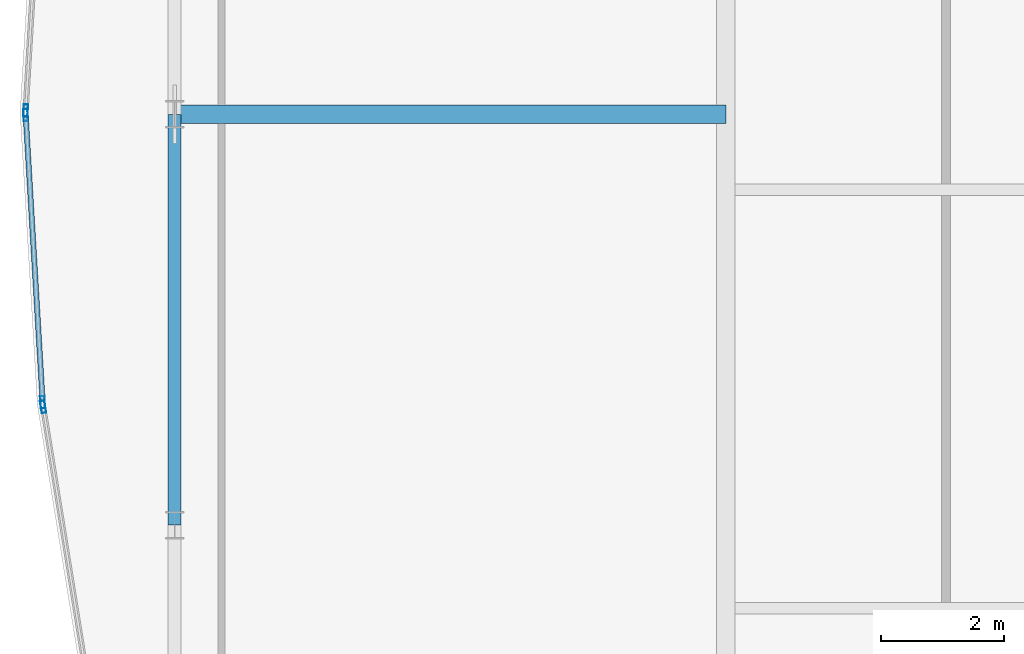
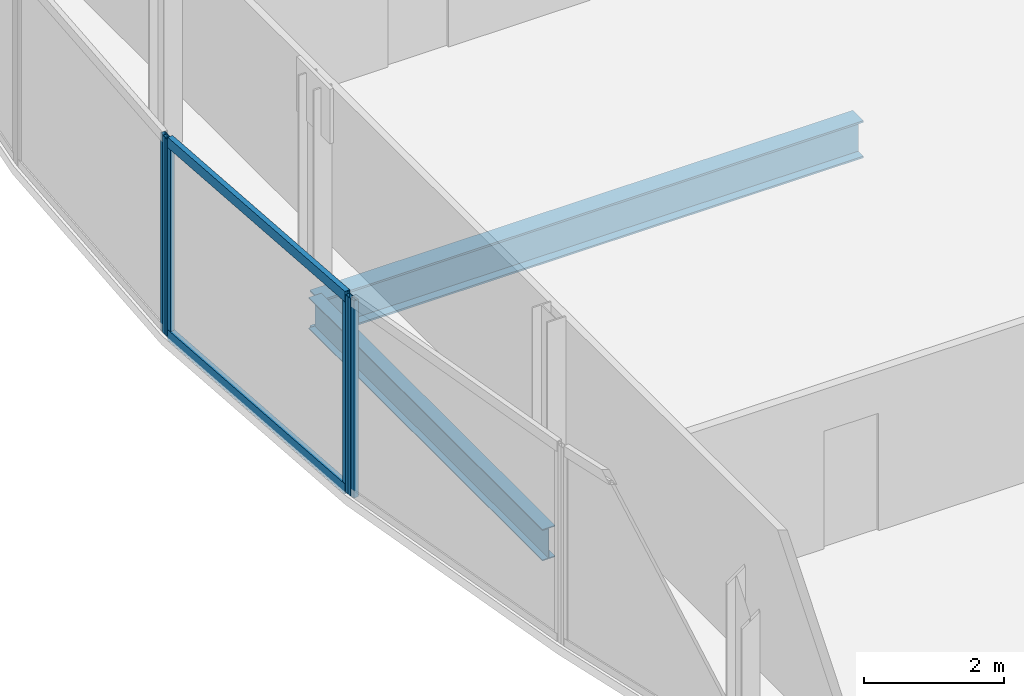
# One storey, part 10 of 30: 6 members, 2 beams, 3 elements without a shape of their own.
"""IFC4 building model written with IfcOpenShell, lengths in metres."""

from ifc_helpers import new_model, si_unit, direction, frame, origin, origin_2d, place, context, subcontext, project, spatial, hollow_rectangle, i_section, extrude, material, material_profile, profile_set, type_object, element, aggregate, save


model = new_model("IFC4")

# Units and contexts
model_context = context("Model", 3, precision=1e-05, world=origin(), true_north=direction((0.0, 1.0)))
body_context = subcontext(model_context, "Body", "Model", "MODEL_VIEW")
ifc_project = project(units=[si_unit("LENGTHUNIT", "METRE"), si_unit("AREAUNIT", "SQUARE_METRE"), si_unit("VOLUMEUNIT", "CUBIC_METRE"), si_unit("PLANEANGLEUNIT", "RADIAN"), si_unit("MASSUNIT", "GRAM", prefix="KILO")], contexts=[model_context])

# Site, building, storey
site_placement = place(None, origin())
site = spatial("IfcSite", under=ifc_project, at=site_placement, CompositionType="ELEMENT")
building_placement = place(site_placement, origin())
building = spatial("IfcBuilding", under=site, at=building_placement, Name="Khoronbel Lancet Exchange", CompositionType="ELEMENT")
storey_placement = place(building_placement, frame((0.0, 0.0, 269.800048828125)))
storey = spatial("IfcBuildingStorey", under=building, at=storey_placement, Name="L69", CompositionType="ELEMENT", Elevation=269.800048828125)

# Beams
ifc_material_1 = material(Name="Steel S355", Category="steel")
ifc_material_profile_1 = material_profile(ifc_material_1, i_section(OverallWidth=0.300048828125, OverallDepth=0.64990234375, WebThickness=0.01611328125, FlangeThickness=0.031005859375, at=origin_2d()), Name="HEB 650")
ifc_profile_set_1 = profile_set([ifc_material_profile_1], Name="Steel S355")
beam_type_1 = type_object("IfcBeamType", Name="BM-BG4", PredefinedType="BEAM", material=ifc_profile_set_1)
beam_1_placement = place(storey_placement, frame((9.27001953125, 31.425048828125, -0.485107421875), z_axis=(1.0, 0.0, 0.0), x_axis=(0.0, 1.0, 0.0)))
element("IfcBeam", 1, at=beam_1_placement, inside=storey, type_object=beam_type_1, Name="Level L69 west lens tie girder LG2W", PredefinedType="BEAM", context=body_context, shape_type="SweptSolid", body=[
    extrude(i_section(OverallWidth=0.300048828125, OverallDepth=0.64990234375, WebThickness=0.01611328125, FlangeThickness=0.031005859375, at=origin_2d()), origin(), (0.0, 0.0, 1.0), 8.955078125),
])
ifc_material_profile_2 = material_profile(ifc_material_1, i_section(OverallWidth=0.2099609375, OverallDepth=0.550048828125, WebThickness=0.010986328125, FlangeThickness=0.01708984375, at=origin_2d()), Name="IPE 550")
ifc_profile_set_2 = profile_set([ifc_material_profile_2], Name="Steel S355")
beam_type_2 = type_object("IfcBeamType", Name="BM-BSP3", PredefinedType="SPANDREL", material=ifc_profile_set_2)
beam_2_placement = place(storey_placement, frame((9.27001953125, 31.425048828125, -0.43505859375), z_axis=(0.0, -1.0, 0.0), x_axis=(1.0, 0.0, 0.0)))
element("IfcBeam", 2, at=beam_2_placement, inside=storey, type_object=beam_type_2, Name="Level L69 perimeter spandrel beam SP19", PredefinedType="SPANDREL", context=body_context, shape_type="SweptSolid", body=[
    extrude(i_section(OverallWidth=0.2099609375, OverallDepth=0.550048828125, WebThickness=0.010986328125, FlangeThickness=0.01708984375, at=origin_2d()), origin(), (0.0, 0.0, 1.0), 6.675048828125),
])

# Curtain wall, member
ifc_material_2 = material(Name="Low-E Solar Control Insulating Glass", Category="glass")
curtain_wall_type = type_object("IfcCurtainWallType", Name="CW-4", PredefinedType="NOTDEFINED", material=ifc_material_2)
curtain_wall_1_placement = place(storey_placement, origin())
curtain_wall_1 = element("IfcCurtainWall", 3, at=curtain_wall_1_placement, inside=storey, type_object=curtain_wall_type, Name="Unitised curtain wall CW-L69-E05", PredefinedType="NOTDEFINED")
ifc_material_3 = material(Name="Bronze-Anodised Aluminium 6063-T6", Category="aluminium")
ifc_material_profile_3 = material_profile(ifc_material_3, hollow_rectangle(XDim=0.074951171875, YDim=0.199951171875, WallThickness=0.0048828125, at=origin_2d()), Name="ALU MULLION 75x200")
ifc_profile_set_3 = profile_set([ifc_material_profile_3], Name="Bronze-Anodised Aluminium 6063-T6")
member_type_1 = type_object("IfcMemberType", Name="MEM-CWM2", PredefinedType="MULLION", material=ifc_profile_set_3)
member_1_placement = place(storey_placement, frame((7.13232421875, 26.6728515625, 0.0), z_axis=(0.0, 0.0, 1.0), x_axis=(-0.98723404771, -0.159276285246, 0.0)))
member_1 = element("IfcMember", 4, at=member_1_placement, type_object=member_type_1, Name="CW4 mullion 2", PredefinedType="MULLION", context=body_context, shape_type="SweptSolid", body=[
    extrude(hollow_rectangle(XDim=0.074951171875, YDim=0.199951171875, WallThickness=0.0048828125, at=origin_2d()), origin(), (0.0, 0.0, 1.0), 3.43994140625),
])
aggregate(curtain_wall_1, [member_1])

# Curtain wall, members
curtain_wall_2_placement = place(storey_placement, origin())
curtain_wall_2 = element("IfcCurtainWall", 5, at=curtain_wall_2_placement, inside=storey, type_object=curtain_wall_type, Name="Unitised curtain wall CW-L69-E06", PredefinedType="NOTDEFINED")
member_2_placement = place(storey_placement, frame((7.124267578125, 26.747314453125, 0.0), z_axis=(0.0, 0.0, 1.0), x_axis=(-0.99826120415, -0.058945468766, 0.0)))
member_2 = element("IfcMember", 6, at=member_2_placement, type_object=member_type_1, Name="CW4 mullion 1", PredefinedType="MULLION", context=body_context, shape_type="SweptSolid", body=[
    extrude(hollow_rectangle(XDim=0.074951171875, YDim=0.199951171875, WallThickness=0.0048828125, at=origin_2d()), origin(), (0.0, 0.0, 1.0), 3.43994140625),
])
member_3_placement = place(storey_placement, frame((6.8486328125, 31.41259765625, 0.0), z_axis=(0.0, 0.0, 1.0), x_axis=(-0.99826120415, -0.058945468766, 0.0)))
member_3 = element("IfcMember", 7, at=member_3_placement, type_object=member_type_1, Name="CW4 mullion 2", PredefinedType="MULLION", context=body_context, shape_type="SweptSolid", body=[
    extrude(hollow_rectangle(XDim=0.074951171875, YDim=0.199951171875, WallThickness=0.0048828125, at=origin_2d()), origin(), (0.0, 0.0, 1.0), 3.43994140625),
])

# Curtain wall, member
curtain_wall_3_placement = place(storey_placement, origin())
curtain_wall_3 = element("IfcCurtainWall", 8, at=curtain_wall_3_placement, inside=storey, type_object=curtain_wall_type, Name="Unitised curtain wall CW-L69-E07", PredefinedType="NOTDEFINED")
member_4_placement = place(storey_placement, frame((6.8486328125, 31.487548828125, 0.0), z_axis=(0.0, 0.0, 1.0), x_axis=(-0.99826120415, 0.058945468766, 0.0)))
member_4 = element("IfcMember", 9, at=member_4_placement, type_object=member_type_1, Name="CW4 mullion 1", PredefinedType="MULLION", context=body_context, shape_type="SweptSolid", body=[
    extrude(hollow_rectangle(XDim=0.074951171875, YDim=0.199951171875, WallThickness=0.0048828125, at=origin_2d()), origin(), (0.0, 0.0, 1.0), 3.43994140625),
])
aggregate(curtain_wall_3, [member_4])

# Member
ifc_material_profile_4 = material_profile(ifc_material_3, hollow_rectangle(XDim=0.0849609375, YDim=0.179931640625, WallThickness=0.0048828125, at=origin_2d()), Name="ALU TRANSOM 85x180")
ifc_profile_set_4 = profile_set([ifc_material_profile_4], Name="Bronze-Anodised Aluminium 6063-T6")
member_type_2 = type_object("IfcMemberType", Name="MEM-CWT1", PredefinedType="USERDEFINED", material=ifc_profile_set_4)
member_5_placement = place(storey_placement, frame((7.1220703125, 26.78466796875, 0.04248046875), z_axis=(-0.058983444435, 0.998258961033, 0.0), x_axis=(-0.998258961033, -0.058983444435, 0.0)))
member_5 = element("IfcMember", 10, at=member_5_placement, type_object=member_type_2, Name="CW4 transom 1.1", ObjectType="TRANSOM", PredefinedType="USERDEFINED", context=body_context, shape_type="SweptSolid", body=[
    extrude(hollow_rectangle(XDim=0.0849609375, YDim=0.179931640625, WallThickness=0.0048828125, at=origin_2d()), origin(), (0.0, 0.0, 1.0), 4.5986328125),
])

member_6_placement = place(storey_placement, frame((7.1220703125, 26.78466796875, 3.3974609375), z_axis=(-0.058983444435, 0.998258961033, 0.0), x_axis=(-0.998258961033, -0.058983444435, 0.0)))
member_6 = element("IfcMember", 11, at=member_6_placement, type_object=member_type_2, Name="CW4 transom 1.2", ObjectType="TRANSOM", PredefinedType="USERDEFINED", context=body_context, shape_type="SweptSolid", body=[
    extrude(hollow_rectangle(XDim=0.0849609375, YDim=0.179931640625, WallThickness=0.0048828125, at=origin_2d()), origin(), (0.0, 0.0, 1.0), 4.5986328125),
])

aggregate(curtain_wall_2, [member_2, member_3, member_5, member_6])

save(model, "model.ifc")
